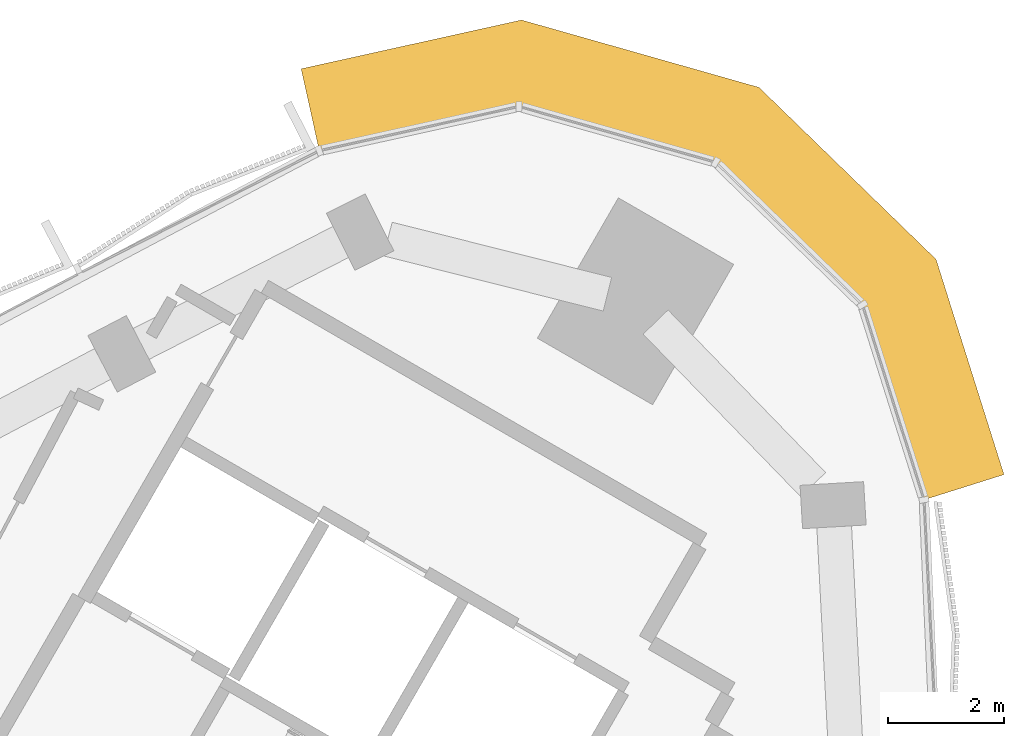
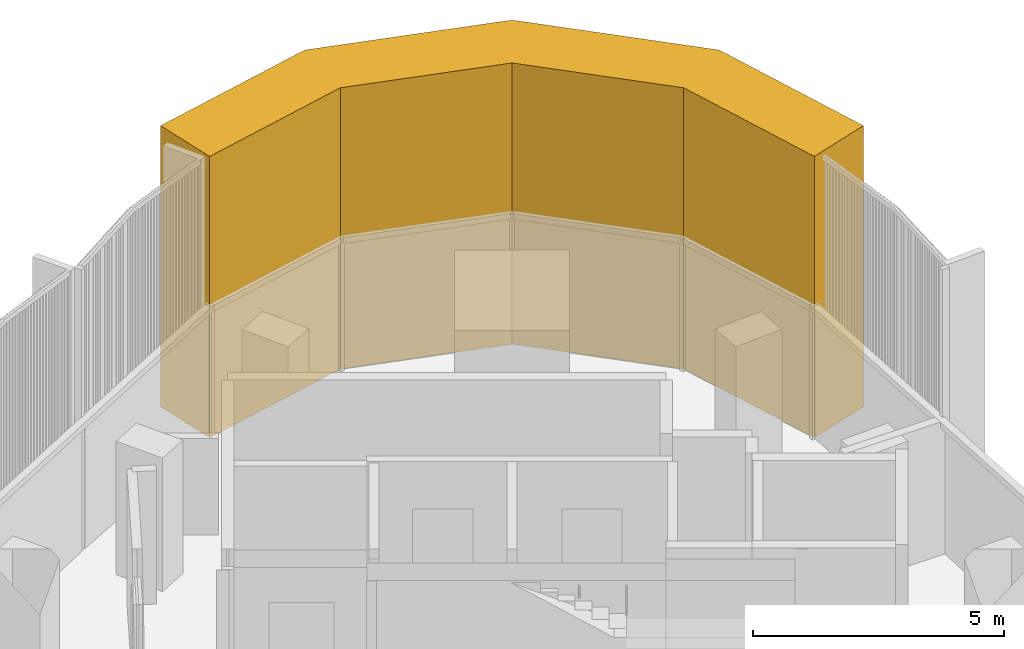
# One storey, part 14 of 14: 1 covering.
"""IFC4 building model written with IfcOpenShell, lengths in metres."""

from ifc_helpers import new_model, si_unit, direction, frame, origin, place, context, subcontext, project, spatial, polyline, outline, extrude, material, layer, layer_set, type_object, element, save


model = new_model("IFC4")

# Units and contexts
model_context = context("Model", 3, precision=1e-05, world=origin(), true_north=direction((0.0, 1.0)))
body_context = subcontext(model_context, "Body", "Model", "MODEL_VIEW")
ifc_project = project(units=[si_unit("LENGTHUNIT", "METRE"), si_unit("AREAUNIT", "SQUARE_METRE"), si_unit("VOLUMEUNIT", "CUBIC_METRE"), si_unit("PLANEANGLEUNIT", "RADIAN"), si_unit("MASSUNIT", "GRAM", prefix="KILO")], contexts=[model_context])

# Site, building, storey
site_placement = place(None, origin())
site = spatial("IfcSite", under=ifc_project, at=site_placement, CompositionType="ELEMENT")
building_placement = place(site_placement, origin())
building = spatial("IfcBuilding", under=site, at=building_placement, Name="Tamra Quay Hotel Tower", CompositionType="ELEMENT")
storey_placement = place(building_placement, frame((0.0, 0.0, 221.39990234375)))
storey = spatial("IfcBuildingStorey", under=building, at=storey_placement, Name="L55", CompositionType="ELEMENT", Elevation=221.39990234375)

# Covering
ifc_material = material(Name="Precast concrete M60 terracotta-coloured", Category="masonry")
ifc_layer = layer(ifc_material, 1.449951171875)
ifc_layer_set = layer_set([ifc_layer], Name="CORNER PIER PANEL")
covering_type = type_object("IfcCoveringType", Name="CORNER PIER PANEL", PredefinedType="CLADDING", material=ifc_layer_set)
covering_placement = place(storey_placement, origin())
element("IfcCovering", 1, at=covering_placement, inside=storey, type_object=covering_type, Name="Corner pier L55.east", PredefinedType="CLADDING", context=body_context, shape_type="SweptSolid", body=[
    extrude(outline(polyline([(17.69677734375, 18.5830078125), (19.07958984375, 19.019287109375), (17.90576171875, 22.739501953125), (14.844970703125, 25.712158203125), (10.739990234375, 26.876708984375), (6.931396484375, 26.033203125), (7.244873046875, 24.617431640625), (10.6962890625, 25.3818359375), (14.09716796875, 24.4169921875), (16.633056640625, 21.9541015625), (17.69677734375, 18.5830078125)])), origin(), (0.0, 0.0, 1.0), 6.85009765625),
])

save(model, "model.ifc")
